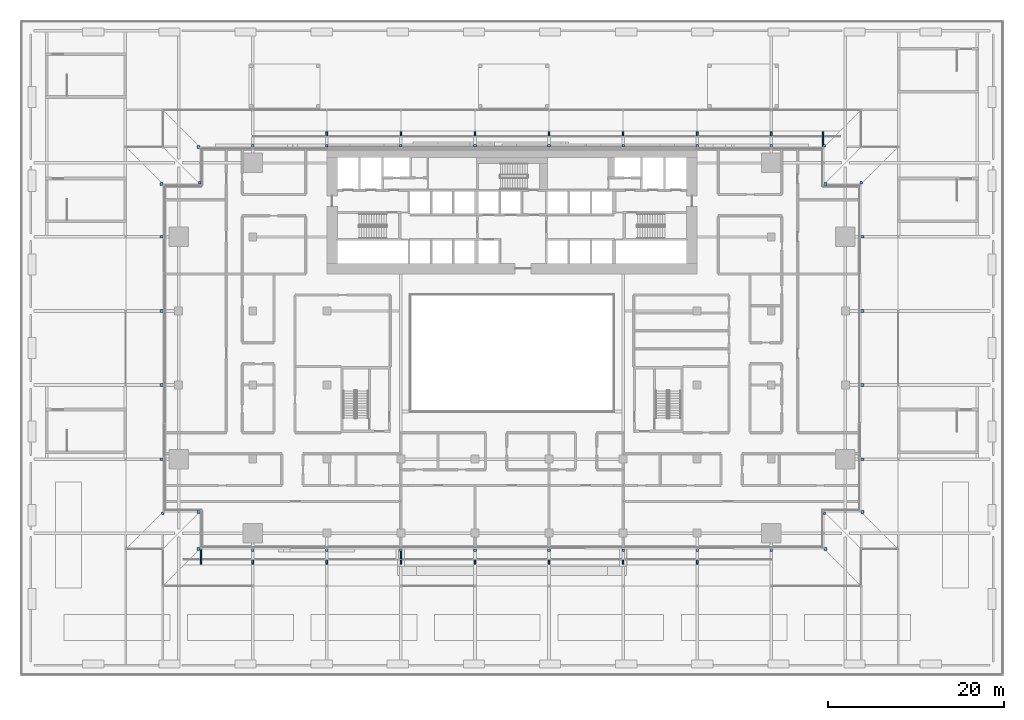
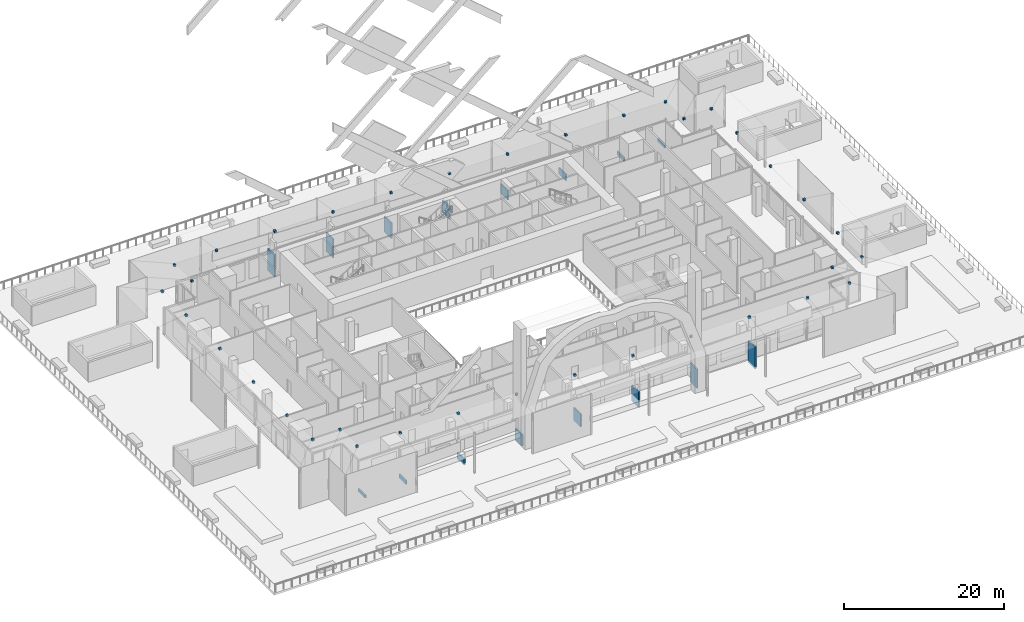
# One storey, part 32 of 60: 52 discrete accessories.
"""IFC4 building model written with IfcOpenShell, lengths in metres."""

from ifc_helpers import new_model, si_unit, direction, frame, origin, origin_2d, place, context, subcontext, project, spatial, rectangle, extrude, element, save


model = new_model("IFC4")

# Units and contexts
model_context = context("Model", 3, precision=1e-05, world=origin(), true_north=direction((0.0, 1.0)))
body_context = subcontext(model_context, "Body", "Model", "MODEL_VIEW")
ifc_project = project(units=[si_unit("LENGTHUNIT", "METRE"), si_unit("AREAUNIT", "SQUARE_METRE"), si_unit("VOLUMEUNIT", "CUBIC_METRE"), si_unit("PLANEANGLEUNIT", "RADIAN"), si_unit("MASSUNIT", "GRAM", prefix="KILO")], contexts=[model_context])

# Site, building, storey
site_placement = place(None, origin())
site = spatial("IfcSite", under=ifc_project, at=site_placement, CompositionType="ELEMENT")
building_placement = place(site_placement, origin())
building = spatial("IfcBuilding", under=site, at=building_placement, Name="Saffron Gate Tower", CompositionType="ELEMENT")
storey_placement = place(building_placement, frame((0.0, 0.0, 19.199951171875)))
storey = spatial("IfcBuildingStorey", under=building, at=storey_placement, Name="L03", CompositionType="ELEMENT", Elevation=19.199951171875)

# Discrete accessories
for number, where, z_axis, x_axis, name in (
    (1, (48.0, 34.050048828125, 6.490234375), (0.0, 0.0, 1.0), (1.0, 0.0, 0.0), "HALL BRACKET"),
    (2, (47.85009765625, 40.199951171875, 6.490234375), (0.0, 0.0, 1.0), (0.0, -1.0, 0.0), "HALL BRACKET"),
    (3, (47.85009765625, 48.60009765625, 6.490234375), (0.0, 0.0, 1.0), (0.0, -1.0, 0.0), "HALL BRACKET"),
    (4, (47.85009765625, 57.0, 6.490234375), (0.0, 0.0, 1.0), (0.0, -1.0, 0.0), "HALL BRACKET"),
    (5, (47.85009765625, 65.39990234375, 6.490234375), (0.0, 0.0, 1.0), (0.0, -1.0, 0.0), "HALL BRACKET"),
    (6, (47.85009765625, 71.39990234375, 6.490234375), (0.0, 0.0, 1.0), (0.0, -1.0, 0.0), "HALL BRACKET"),
    (7, (52.050048828125, 30.0, 6.490234375), (0.0, 0.0, 1.0), (0.0, -1.0, 0.0), "HALL BRACKET"),
    (8, (52.050048828125, 34.199951171875, 6.490234375), (0.0, 0.0, 1.0), (0.0, -1.0, 0.0), "HALL BRACKET"),
    (9, (52.199951171875, 71.550048828125, 6.490234375), (0.0, 0.0, 1.0), (-1.0, 0.0, 0.0), "HALL BRACKET"),
    (10, (52.050048828125, 75.60009765625, 6.490234375), (0.0, 0.0, 1.0), (0.0, -1.0, 0.0), "HALL BRACKET"),
    (11, (58.199951171875, 29.85009765625, 6.490234375), (0.0, 0.0, 1.0), (1.0, 0.0, 0.0), "HALL BRACKET"),
    (12, (58.199951171875, 75.75, 6.490234375), (0.0, 0.0, 1.0), (-1.0, 0.0, 0.0), "HALL BRACKET"),
    (13, (66.60009765625, 29.85009765625, 6.490234375), (0.0, 0.0, 1.0), (1.0, 0.0, 0.0), "HALL BRACKET"),
    (14, (66.60009765625, 75.75, 6.490234375), (0.0, 0.0, 1.0), (-1.0, 0.0, 0.0), "HALL BRACKET"),
    (15, (75.0, 29.85009765625, 6.490234375), (0.0, 0.0, 1.0), (1.0, 0.0, 0.0), "HALL BRACKET"),
    (16, (75.0, 75.75, 6.490234375), (0.0, 0.0, 1.0), (-1.0, 0.0, 0.0), "HALL BRACKET"),
    (17, (83.39990234375, 29.85009765625, 6.490234375), (0.0, 0.0, 1.0), (1.0, 0.0, 0.0), "HALL BRACKET"),
    (18, (83.39990234375, 75.75, 6.490234375), (0.0, 0.0, 1.0), (-1.0, 0.0, 0.0), "HALL BRACKET"),
    (19, (91.800048828125, 29.85009765625, 6.490234375), (0.0, 0.0, 1.0), (1.0, 0.0, 0.0), "HALL BRACKET"),
    (20, (91.800048828125, 75.75, 6.490234375), (0.0, 0.0, 1.0), (-1.0, 0.0, 0.0), "HALL BRACKET"),
    (21, (100.199951171875, 29.85009765625, 6.490234375), (0.0, 0.0, 1.0), (1.0, 0.0, 0.0), "HALL BRACKET"),
    (22, (100.199951171875, 75.75, 6.490234375), (0.0, 0.0, 1.0), (-1.0, 0.0, 0.0), "HALL BRACKET"),
    (23, (108.60009765625, 29.85009765625, 6.490234375), (0.0, 0.0, 1.0), (1.0, 0.0, 0.0), "HALL BRACKET"),
    (24, (108.60009765625, 75.75, 6.490234375), (0.0, 0.0, 1.0), (-1.0, 0.0, 0.0), "HALL BRACKET"),
    (25, (117.0, 29.85009765625, 6.490234375), (0.0, 0.0, 1.0), (1.0, 0.0, 0.0), "HALL BRACKET"),
    (26, (117.0, 75.75, 6.490234375), (0.0, 0.0, 1.0), (-1.0, 0.0, 0.0), "HALL BRACKET"),
    (27, (123.14990234375, 30.0, 6.490234375), (0.0, 0.0, 1.0), (0.0, 1.0, 0.0), "HALL BRACKET"),
    (28, (123.0, 34.050048828125, 6.490234375), (0.0, 0.0, 1.0), (1.0, 0.0, 0.0), "HALL BRACKET"),
    (29, (123.14990234375, 71.39990234375, 6.490234375), (0.0, 0.0, 1.0), (0.0, 1.0, 0.0), "HALL BRACKET"),
    (30, (123.0, 75.75, 6.490234375), (0.0, 0.0, 1.0), (-1.0, 0.0, 0.0), "HALL BRACKET"),
    (31, (127.35009765625, 34.199951171875, 6.490234375), (0.0, 0.0, 1.0), (0.0, 1.0, 0.0), "HALL BRACKET"),
    (32, (127.35009765625, 40.199951171875, 6.490234375), (0.0, 0.0, 1.0), (0.0, 1.0, 0.0), "HALL BRACKET"),
    (33, (127.35009765625, 48.60009765625, 6.490234375), (0.0, 0.0, 1.0), (0.0, 1.0, 0.0), "HALL BRACKET"),
    (34, (127.35009765625, 57.0, 6.490234375), (0.0, 0.0, 1.0), (0.0, 1.0, 0.0), "HALL BRACKET"),
    (35, (127.35009765625, 65.39990234375, 6.490234375), (0.0, 0.0, 1.0), (0.0, 1.0, 0.0), "HALL BRACKET"),
    (36, (127.199951171875, 71.550048828125, 6.490234375), (0.0, 0.0, 1.0), (-1.0, 0.0, 0.0), "HALL BRACKET"),
):
    element("IfcDiscreteAccessory", number, at=place(storey_placement, frame(where, z_axis=z_axis, x_axis=x_axis)), inside=storey, Name=name, PredefinedType="BRACKET", context=body_context, shape_type="SweptSolid", body=[
        extrude(rectangle(XDim=0.300048828125, YDim=0.300048828125, at=origin_2d()), origin(), (0.0, 0.0, 1.0), 0.300048828125),
    ])
discrete_accessory_1_placement = place(storey_placement, frame((52.320068359375, 29.125, -0.2998046875), z_axis=(0.0, 0.0, 1.0), x_axis=(1.0, 0.0, 0.0)))
element("IfcDiscreteAccessory", 37, at=discrete_accessory_1_placement, inside=storey, Name="LEDGE rib", PredefinedType="BRACKET", context=body_context, shape_type="SweptSolid", body=[
    extrude(rectangle(XDim=0.199951171875, YDim=1.75, at=origin_2d()), origin(), (0.0, 0.0, 1.0), 0.39990234375),
])
discrete_accessory_2_placement = place(storey_placement, frame((58.199951171875, 29.125, -0.2998046875), z_axis=(0.0, 0.0, 1.0), x_axis=(1.0, 0.0, 0.0)))
element("IfcDiscreteAccessory", 38, at=discrete_accessory_2_placement, inside=storey, Name="LEDGE rib", PredefinedType="BRACKET", context=body_context, shape_type="SweptSolid", body=[
    extrude(rectangle(XDim=0.199951171875, YDim=1.75, at=origin_2d()), origin(), (0.0, 0.0, 1.0), 0.57275390625),
])
discrete_accessory_3_placement = place(storey_placement, frame((66.60009765625, 29.125, -0.300048828125), z_axis=(0.0, 0.0, 1.0), x_axis=(1.0, 0.0, 0.0)))
element("IfcDiscreteAccessory", 39, at=discrete_accessory_3_placement, inside=storey, Name="LEDGE rib", PredefinedType="BRACKET", context=body_context, shape_type="SweptSolid", body=[
    extrude(rectangle(XDim=0.199951171875, YDim=1.75, at=origin_2d()), origin(), (0.0, 0.0, 1.0), 0.97998046875),
])
discrete_accessory_4_placement = place(storey_placement, frame((75.0, 29.125, -0.2998046875), z_axis=(0.0, 0.0, 1.0), x_axis=(1.0, 0.0, 0.0)))
element("IfcDiscreteAccessory", 40, at=discrete_accessory_4_placement, inside=storey, Name="LEDGE rib", PredefinedType="BRACKET", context=body_context, shape_type="SweptSolid", body=[
    extrude(rectangle(XDim=0.199951171875, YDim=1.75, at=origin_2d()), origin(), (0.0, 0.0, 1.0), 1.673095703125),
])
discrete_accessory_5_placement = place(storey_placement, frame((83.39990234375, 29.125, -0.2998046875), z_axis=(0.0, 0.0, 1.0), x_axis=(1.0, 0.0, 0.0)))
element("IfcDiscreteAccessory", 41, at=discrete_accessory_5_placement, inside=storey, Name="LEDGE rib", PredefinedType="BRACKET", context=body_context, shape_type="SweptSolid", body=[
    extrude(rectangle(XDim=0.199951171875, YDim=1.75, at=origin_2d()), origin(), (0.0, 0.0, 1.0), 1.926025390625),
])
discrete_accessory_6_placement = place(storey_placement, frame((91.800048828125, 29.125, -0.2998046875), z_axis=(0.0, 0.0, 1.0), x_axis=(1.0, 0.0, 0.0)))
element("IfcDiscreteAccessory", 42, at=discrete_accessory_6_placement, inside=storey, Name="LEDGE rib", PredefinedType="BRACKET", context=body_context, shape_type="SweptSolid", body=[
    extrude(rectangle(XDim=0.199951171875, YDim=1.75, at=origin_2d()), origin(), (0.0, 0.0, 1.0), 2.399169921875),
])
discrete_accessory_7_placement = place(storey_placement, frame((100.199951171875, 29.125, -0.2998046875), z_axis=(0.0, 0.0, 1.0), x_axis=(1.0, 0.0, 0.0)))
element("IfcDiscreteAccessory", 43, at=discrete_accessory_7_placement, inside=storey, Name="LEDGE rib", PredefinedType="BRACKET", context=body_context, shape_type="SweptSolid", body=[
    extrude(rectangle(XDim=0.199951171875, YDim=1.75, at=origin_2d()), origin(), (0.0, 0.0, 1.0), 2.872314453125),
])
discrete_accessory_8_placement = place(storey_placement, frame((108.60009765625, 29.125, -0.300048828125), z_axis=(0.0, 0.0, 1.0), x_axis=(1.0, 0.0, 0.0)))
element("IfcDiscreteAccessory", 44, at=discrete_accessory_8_placement, inside=storey, Name="LEDGE rib", PredefinedType="BRACKET", context=body_context, shape_type="SweptSolid", body=[
    extrude(rectangle(XDim=0.199951171875, YDim=1.75, at=origin_2d()), origin(), (0.0, 0.0, 1.0), 3.3564453125),
])
discrete_accessory_9_placement = place(storey_placement, frame((122.8798828125, 76.47509765625, -0.2998046875), z_axis=(0.0, 0.0, 1.0), x_axis=(-1.0, 0.0, 0.0)))
element("IfcDiscreteAccessory", 45, at=discrete_accessory_9_placement, inside=storey, Name="LEDGE rib", PredefinedType="BRACKET", context=body_context, shape_type="SweptSolid", body=[
    extrude(rectangle(XDim=0.199951171875, YDim=1.75, at=origin_2d()), origin(), (0.0, 0.0, 1.0), 0.39990234375),
])
discrete_accessory_10_placement = place(storey_placement, frame((117.0, 76.47509765625, -0.2998046875), z_axis=(0.0, 0.0, 1.0), x_axis=(-1.0, 0.0, 0.0)))
element("IfcDiscreteAccessory", 46, at=discrete_accessory_10_placement, inside=storey, Name="LEDGE rib", PredefinedType="BRACKET", context=body_context, shape_type="SweptSolid", body=[
    extrude(rectangle(XDim=0.199951171875, YDim=1.75, at=origin_2d()), origin(), (0.0, 0.0, 1.0), 0.57275390625),
])
discrete_accessory_11_placement = place(storey_placement, frame((108.60009765625, 76.47509765625, -0.300048828125), z_axis=(0.0, 0.0, 1.0), x_axis=(-1.0, 0.0, 0.0)))
element("IfcDiscreteAccessory", 47, at=discrete_accessory_11_placement, inside=storey, Name="LEDGE rib", PredefinedType="BRACKET", context=body_context, shape_type="SweptSolid", body=[
    extrude(rectangle(XDim=0.199951171875, YDim=1.75, at=origin_2d()), origin(), (0.0, 0.0, 1.0), 0.97998046875),
])
discrete_accessory_12_placement = place(storey_placement, frame((100.199951171875, 76.47509765625, -0.300048828125), z_axis=(0.0, 0.0, 1.0), x_axis=(-1.0, 0.0, 0.0)))
element("IfcDiscreteAccessory", 48, at=discrete_accessory_12_placement, inside=storey, Name="LEDGE rib", PredefinedType="BRACKET", context=body_context, shape_type="SweptSolid", body=[
    extrude(rectangle(XDim=0.199951171875, YDim=1.75, at=origin_2d()), origin(), (0.0, 0.0, 1.0), 1.453125),
])
discrete_accessory_13_placement = place(storey_placement, frame((91.800048828125, 76.47509765625, -0.2998046875), z_axis=(0.0, 0.0, 1.0), x_axis=(-1.0, 0.0, 0.0)))
element("IfcDiscreteAccessory", 49, at=discrete_accessory_13_placement, inside=storey, Name="LEDGE rib", PredefinedType="BRACKET", context=body_context, shape_type="SweptSolid", body=[
    extrude(rectangle(XDim=0.199951171875, YDim=1.75, at=origin_2d()), origin(), (0.0, 0.0, 1.0), 1.926025390625),
])
discrete_accessory_14_placement = place(storey_placement, frame((83.39990234375, 76.47509765625, -0.2998046875), z_axis=(0.0, 0.0, 1.0), x_axis=(-1.0, 0.0, 0.0)))
element("IfcDiscreteAccessory", 50, at=discrete_accessory_14_placement, inside=storey, Name="LEDGE rib", PredefinedType="BRACKET", context=body_context, shape_type="SweptSolid", body=[
    extrude(rectangle(XDim=0.199951171875, YDim=1.75, at=origin_2d()), origin(), (0.0, 0.0, 1.0), 2.399169921875),
])
discrete_accessory_15_placement = place(storey_placement, frame((75.0, 76.47509765625, -0.2998046875), z_axis=(0.0, 0.0, 1.0), x_axis=(-1.0, 0.0, 0.0)))
element("IfcDiscreteAccessory", 51, at=discrete_accessory_15_placement, inside=storey, Name="LEDGE rib", PredefinedType="BRACKET", context=body_context, shape_type="SweptSolid", body=[
    extrude(rectangle(XDim=0.199951171875, YDim=1.75, at=origin_2d()), origin(), (0.0, 0.0, 1.0), 2.872314453125),
])
discrete_accessory_16_placement = place(storey_placement, frame((66.60009765625, 76.47509765625, -0.2998046875), z_axis=(0.0, 0.0, 1.0), x_axis=(-1.0, 0.0, 0.0)))
element("IfcDiscreteAccessory", 52, at=discrete_accessory_16_placement, inside=storey, Name="LEDGE rib", PredefinedType="BRACKET", context=body_context, shape_type="SweptSolid", body=[
    extrude(rectangle(XDim=0.199951171875, YDim=1.75, at=origin_2d()), origin(), (0.0, 0.0, 1.0), 3.345458984375),
])

save(model, "model.ifc")
